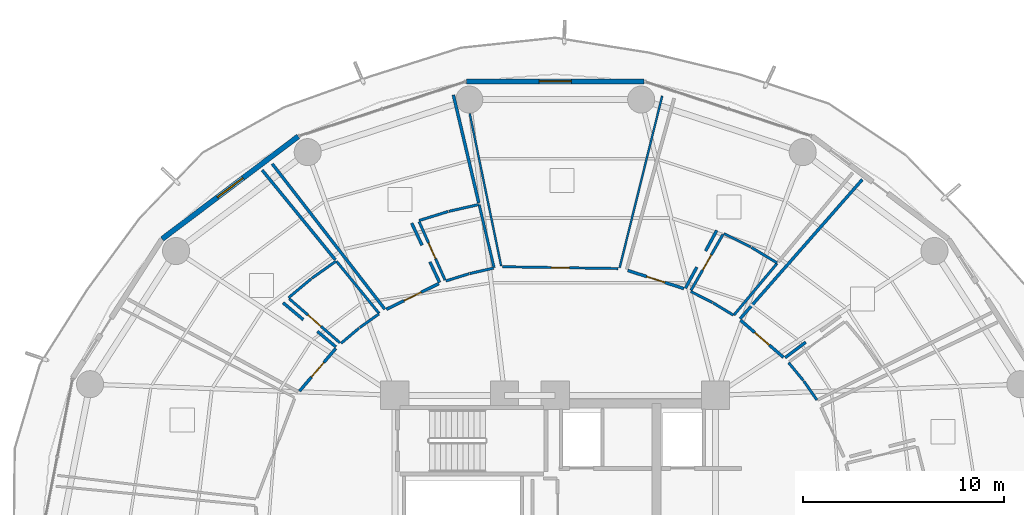
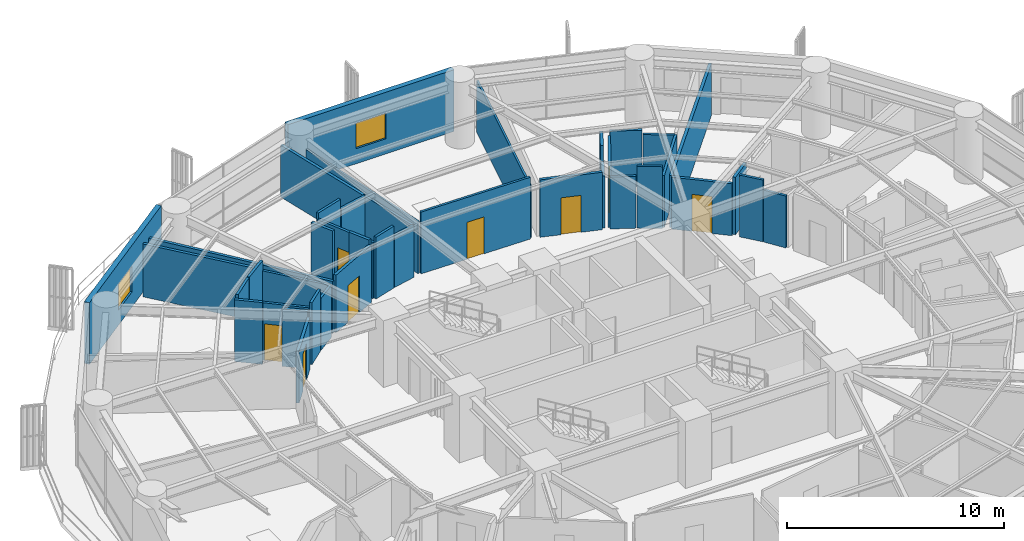
# One storey, part 30 of 36: 40 walls, 8 doors, 2 windows, 10 openings.
"""IFC4 building model written with IfcOpenShell, lengths in metres."""

import ifcopenshell
import ifcopenshell.guid

model = None  # the IFC model being written
_history = None  # IfcOwnerHistory: only IFC2X3 demands one
_inside = {}  # id of a spatial element -> (the spatial element, [elements in it])
_under = {}  # id of a project, library or spatial element -> (it, [spatial elements below it])
_declared = {}  # id of a project -> (the project, [libraries it declares])
_typed = {}  # id of a type object -> (the type object, [elements of that type])
_made_of = {}  # id of a material, layer set ... -> (it, [elements and type objects made of it])


def new_model(schema):
    """Start an empty IFC model of exactly this schema.

    Asked for "IFC4X3", IfcOpenShell would pick the latest addendum, in which some entities
    have other attributes; the version numbers below select the first issue.
    IFC2X3 requires an IfcOwnerHistory on every rooted entity: one is made here for all.
    """
    global model, _history
    if schema == "IFC4X3":
        model = ifcopenshell.file(schema_version=(4, 3, 0, 0))
    else:
        model = ifcopenshell.file(schema=schema)
    _inside.clear()
    _under.clear()
    _declared.clear()
    _typed.clear()
    _made_of.clear()
    _history = None
    if model.schema == "IFC2X3":
        org = make("IfcOrganization", Name="unknown")
        user = make(
            "IfcPersonAndOrganization",
            ThePerson=make("IfcPerson", FamilyName="unknown"),
            TheOrganization=org,
        )
        app = make(
            "IfcApplication",
            ApplicationDeveloper=org,
            Version="unknown",
            ApplicationFullName="unknown",
            ApplicationIdentifier="unknown",
        )
        _history = make(
            "IfcOwnerHistory",
            OwningUser=user,
            OwningApplication=app,
            ChangeAction="ADDED",
            CreationDate=0,
        )
    return model


def make(cls, **values):
    """One entity of the class cls with the attributes given. An attribute that is None is left unset."""
    return model.create_entity(
        cls, **{name: value for name, value in values.items() if value is not None}
    )


def rooted(cls, **values):
    """An entity with a GlobalId (a new one), such as an element, a storey or a relation."""
    return make(cls, GlobalId=ifcopenshell.guid.new(), OwnerHistory=_history, **values)


def si_unit(unit_type, name, prefix=None):
    """IfcSIUnit, for example si_unit("LENGTHUNIT", "METRE", prefix="MILLI")."""
    return make("IfcSIUnit", UnitType=unit_type, Prefix=prefix, Name=name)


def assignment(units):
    """IfcUnitAssignment: the units of a project."""
    return None if units is None else make("IfcUnitAssignment", Units=units)


def point(xyz):
    """IfcCartesianPoint."""
    return None if xyz is None else make("IfcCartesianPoint", Coordinates=xyz)


def direction(xyz):
    """IfcDirection."""
    return None if xyz is None else make("IfcDirection", DirectionRatios=xyz)


def frame(location, z_axis=None, x_axis=None):
    """IfcAxis2Placement3D, a coordinate frame: its origin and axes. An axis left out is left unset."""
    return make(
        "IfcAxis2Placement3D",
        Location=point(location),
        Axis=direction(z_axis),
        RefDirection=direction(x_axis),
    )


def frame_2d(location, x_axis=None):
    """IfcAxis2Placement2D, a coordinate frame in the plane: its origin and x axis."""
    return make(
        "IfcAxis2Placement2D", Location=point(location), RefDirection=direction(x_axis)
    )


def origin():
    """The frame at (0, 0, 0) with its axes left unset."""
    return frame((0.0, 0.0, 0.0))


def place(relative_to, where):
    """IfcLocalPlacement: puts the frame where relative to a parent placement (None: the world)."""
    return make(
        "IfcLocalPlacement", PlacementRelTo=relative_to, RelativePlacement=where
    )


def context(
    kind, dimensions, precision=None, world=None, true_north=None, identifier=None
):
    """IfcGeometricRepresentationContext, for example the 3D "Model" context."""
    return make(
        "IfcGeometricRepresentationContext",
        ContextIdentifier=identifier,
        ContextType=kind,
        CoordinateSpaceDimension=dimensions,
        Precision=precision,
        WorldCoordinateSystem=world,
        TrueNorth=true_north,
    )


def subcontext(parent, identifier, kind, view, scale=None):
    """IfcGeometricRepresentationSubContext, for example "Body" below "Model"."""
    return make(
        "IfcGeometricRepresentationSubContext",
        ContextIdentifier=identifier,
        ContextType=kind,
        ParentContext=parent,
        TargetScale=scale,
        TargetView=view,
    )


def project(units=None, contexts=None):
    """IfcProject with its units and contexts."""
    return rooted(
        "IfcProject",
        Name="project",
        RepresentationContexts=contexts,
        UnitsInContext=assignment(units),
    )


def spatial(cls, under=None, at=None, **own):
    """A site, building, storey or space (cls), placed at a placement, below another one or the project."""
    s = rooted(cls, ObjectPlacement=at, **own)
    if under is not None:
        _under.setdefault(under.id(), (under, []))[1].append(s)
    return s


def profile(cls, at=None, kind="AREA", **sizes):
    """A parametric profile (cls). Its sizes go by their IFC names, for example OverallWidth=200.0."""
    return make(cls, ProfileType=kind, Position=at, **sizes)


def rectangle(**sizes):
    """IfcRectangleProfileDef."""
    return profile("IfcRectangleProfileDef", **sizes)


def extrude(swept, where, along, depth):
    """IfcExtrudedAreaSolid: the profile swept, set in the frame where, extruded along a direction by depth."""
    return make(
        "IfcExtrudedAreaSolid",
        SweptArea=swept,
        Position=where,
        ExtrudedDirection=direction(along),
        Depth=depth,
    )


def shape(context_of_items, identifier, shape_type, items):
    """IfcShapeRepresentation: the items that make up one representation, for example the "Body"."""
    return make(
        "IfcShapeRepresentation",
        ContextOfItems=context_of_items,
        RepresentationIdentifier=identifier,
        RepresentationType=shape_type,
        Items=items,
    )


def material(Name=None, Category=None):
    """IfcMaterial."""
    return make("IfcMaterial", Name=Name, Category=Category)


def layer(
    of_material, thickness, ventilated=None, Name=None, Category=None, Priority=None
):
    """IfcMaterialLayer: one layer of a wall or slab, of a material (None: an air gap)."""
    return make(
        "IfcMaterialLayer",
        Material=of_material,
        LayerThickness=thickness,
        IsVentilated=ventilated,
        Name=Name,
        Category=Category,
        Priority=Priority,
    )


def layer_set(layers, Name=None):
    """IfcMaterialLayerSet."""
    return make("IfcMaterialLayerSet", MaterialLayers=layers, LayerSetName=Name)


def made_of(thing, what):
    """Note that an element or type object is made of a material, layer set ...; save() writes the relation."""
    if what is not None:
        _made_of.setdefault(what.id(), (what, []))[1].append(thing)
    return thing


def type_object(cls, material=None, **own):
    """A type object (cls), such as IfcWallType, which elements share."""
    return made_of(rooted(cls, **own), material)


def element(
    cls,
    number,
    at=None,
    inside=None,
    cuts=None,
    type_object=None,
    material=None,
    context=None,
    identifier="Body",
    shape_type=None,
    held_by="IfcProductDefinitionShape",
    body=None,
    shapes=None,
    **own,
):
    """One element of the class cls, such as IfcWall. Its Tag is "e" and its number.

    at: its placement. inside: the storey or other place that contains it. cuts: it is an
    opening in that element (IfcRelVoidsElement). A single representation is given by context,
    identifier, shape_type and body (its items); several are given by shapes. held_by: the class
    of the entity that holds the representations. save() writes the other relations.
    """
    e = rooted(cls, Tag="e%d" % number, ObjectPlacement=at, **own)
    if body is not None:
        shapes = [shape(context, identifier, shape_type, body)]
    if shapes is not None:
        e.Representation = make(held_by, Representations=shapes)
    if inside is not None:
        _inside.setdefault(inside.id(), (inside, []))[1].append(e)
    if cuts is not None:
        rooted(
            "IfcRelVoidsElement", RelatingBuildingElement=cuts, RelatedOpeningElement=e
        )
    if type_object is not None:
        _typed.setdefault(type_object.id(), (type_object, []))[1].append(e)
    return made_of(e, material)


def fill(opening, filler):
    """IfcRelFillsElement: the door or window that sits in an opening."""
    return rooted(
        "IfcRelFillsElement",
        RelatingOpeningElement=opening,
        RelatedBuildingElement=filler,
    )


def aggregate(whole, parts):
    """IfcRelAggregates: a whole, such as a stair, and the parts it consists of."""
    return rooted("IfcRelAggregates", RelatingObject=whole, RelatedObjects=parts)


def save(model, path):
    """Write the relations noted so far, then the file.

    IfcRelAggregates (storeys below a building ...), IfcRelContainedInSpatialStructure (elements
    in a storey), IfcRelDefinesByType, IfcRelAssociatesMaterial and IfcRelDeclares: one each for
    every whole, place, type object, material and project.
    """
    for whole, parts in _under.values():
        aggregate(whole, parts)
    for where, things in _inside.values():
        rooted(
            "IfcRelContainedInSpatialStructure",
            RelatedElements=things,
            RelatingStructure=where,
        )
    for kind, things in _typed.values():
        rooted("IfcRelDefinesByType", RelatedObjects=things, RelatingType=kind)
    for what, things in _made_of.values():
        rooted("IfcRelAssociatesMaterial", RelatedObjects=things, RelatingMaterial=what)
    for by, libraries in _declared.values():
        rooted("IfcRelDeclares", RelatingContext=by, RelatedDefinitions=libraries)
    model.write(path)


model = new_model("IFC4")

# Units and contexts
model_context = context("Model", 3, precision=1e-05, world=origin(), true_north=direction((0.0, 1.0)))
body_context = subcontext(model_context, "Body", "Model", "MODEL_VIEW")
ifc_project = project(units=[si_unit("LENGTHUNIT", "METRE"), si_unit("AREAUNIT", "SQUARE_METRE"), si_unit("VOLUMEUNIT", "CUBIC_METRE"), si_unit("PLANEANGLEUNIT", "RADIAN"), si_unit("MASSUNIT", "GRAM", prefix="KILO")], contexts=[model_context])

# Site, building, storey
site_placement = place(None, origin())
site = spatial("IfcSite", under=ifc_project, at=site_placement, CompositionType="ELEMENT")
building_placement = place(site_placement, origin())
building = spatial("IfcBuilding", under=site, at=building_placement, Name="Kelanora Arch Commons", CompositionType="ELEMENT")
storey_placement = place(building_placement, frame((0.0, 0.0, 98.85009765625)))
storey = spatial("IfcBuildingStorey", under=building, at=storey_placement, Name="L25", CompositionType="ELEMENT", Elevation=98.85009765625)

# Wall, opening, door
ifc_material_1 = material(Name="Autoclaved aerated concrete blockwork with fire plaster", Category="masonry")
ifc_layer_1 = layer(ifc_material_1, 0.14990234375)
ifc_layer_set_1 = layer_set([ifc_layer_1], Name="Autoclaved aerated concrete blockwork with fire plaster")
wall_type_1 = type_object("IfcWallType", Name="W-COMP-150", PredefinedType="PARTITIONING", material=ifc_layer_set_1)
wall_1_placement = place(storey_placement, frame((85.384521484375, 66.89013671875, 0.0), z_axis=(0.0, 0.0, 1.0), x_axis=(-0.756913909666, 0.65351460072, 0.0)))
wall_1 = element("IfcWall", 1, at=wall_1_placement, inside=storey, type_object=wall_type_1, Name="Co-Living Studio L25-02 Entry Partition", PredefinedType="PARTITIONING", context=body_context, shape_type="SweptSolid", body=[
    extrude(rectangle(XDim=2.838134765625, YDim=0.14990234375, at=frame_2d((1.4189453125, 0.0))), origin(), (0.0, 0.0, 1.0), 2.9248046875),
])
opening_1_placement = place(wall_1_placement, frame((0.944091796875, 0.0, 0.0)))
opening_1 = element("IfcOpeningElement", 2, at=opening_1_placement, cuts=wall_1, Name="Opening D-CLU1", PredefinedType="OPENING", context=body_context, shape_type="SweptSolid", body=[
    extrude(rectangle(XDim=0.949951171875, YDim=2.080078125, at=frame_2d((0.47509765625, 1.0400390625))), frame((0.0, 0.0849609375, 0.0), z_axis=(0.0, -1.0, 0.0), x_axis=(1.0, 0.0, 0.0)), (0.0, 0.0, 1.0), 0.169921875),
])
ifc_material_2 = material(Name="Solid-core acoustic timber cluster entry fire door", Category="wood")
door_type_1 = type_object("IfcDoorType", Name="D-CLU-95", OperationType="NOTDEFINED", PredefinedType="DOOR", material=ifc_material_2)
door_1_placement = place(opening_1_placement, origin())
door_1 = element("IfcDoor", 3, at=door_1_placement, inside=storey, type_object=door_type_1, Name="Co-Living Studio L25-02 Door", OperationType="SINGLE_SWING_RIGHT", OverallHeight=2.080078125, OverallWidth=0.949951171875, PredefinedType="DOOR", context=body_context, shape_type="SweptSolid", body=[
    extrude(rectangle(XDim=0.949951171875, YDim=2.080078125, at=frame_2d((0.47509765625, 1.0400390625))), frame((0.0, 0.02490234375, 0.0), z_axis=(0.0, -1.0, 0.0), x_axis=(1.0, 0.0, 0.0)), (0.0, 0.0, 1.0), 0.050048828125),
])
fill(opening_1, door_1)

wall_2_placement = place(storey_placement, frame((80.414794921875, 70.3203125, 0.0), z_axis=(0.0, 0.0, 1.0), x_axis=(-0.951622481895, 0.307269673009, 0.0)))
wall_2 = element("IfcWall", 4, at=wall_2_placement, inside=storey, type_object=wall_type_1, Name="Co-Living Studio L25-03 Entry Partition", PredefinedType="PARTITIONING", context=body_context, shape_type="SweptSolid", body=[
    extrude(rectangle(XDim=2.93994140625, YDim=0.14990234375, at=frame_2d((1.469970703125, 0.0))), origin(), (0.0, 0.0, 1.0), 3.23486328125),
])
opening_2_placement = place(wall_2_placement, frame((0.9951171875, 0.0, 0.0)))
opening_2 = element("IfcOpeningElement", 5, at=opening_2_placement, cuts=wall_2, Name="Opening D-CLU1", PredefinedType="OPENING", context=body_context, shape_type="SweptSolid", body=[
    extrude(rectangle(XDim=0.949951171875, YDim=2.080078125, at=frame_2d((0.47509765625, 1.0400390625))), frame((0.0, 0.0849609375, 0.0), z_axis=(0.0, -1.0, 0.0), x_axis=(1.0, 0.0, 0.0)), (0.0, 0.0, 1.0), 0.169921875),
])
door_2_placement = place(opening_2_placement, origin())
door_2 = element("IfcDoor", 6, at=door_2_placement, inside=storey, type_object=door_type_1, Name="Co-Living Studio L25-03 Door", OperationType="SINGLE_SWING_RIGHT", OverallHeight=2.080078125, OverallWidth=0.949951171875, PredefinedType="DOOR", context=body_context, shape_type="SweptSolid", body=[
    extrude(rectangle(XDim=0.949951171875, YDim=2.080078125, at=frame_2d((0.47509765625, 1.0400390625))), frame((0.0, 0.02490234375, 0.0), z_axis=(0.0, -1.0, 0.0), x_axis=(1.0, 0.0, 0.0)), (0.0, 0.0, 1.0), 0.050048828125),
])
fill(opening_2, door_2)

wall_3_placement = place(storey_placement, frame((68.196044921875, 70.566650390625, 0.0), z_axis=(0.0, 0.0, 1.0), x_axis=(-0.89794088417, -0.440116085296, 0.0)))
wall_3 = element("IfcWall", 7, at=wall_3_placement, inside=storey, type_object=wall_type_1, Name="Co-Living Studio L25-05 Entry Partition", PredefinedType="PARTITIONING", context=body_context, shape_type="SweptSolid", body=[
    extrude(rectangle(XDim=2.908935546875, YDim=0.14990234375, at=frame_2d((1.45458984375, 0.0))), origin(), (0.0, 0.0, 1.0), 3.23486328125),
])
opening_3_placement = place(wall_3_placement, frame((0.97998046875, 0.0, 0.0)))
opening_3 = element("IfcOpeningElement", 8, at=opening_3_placement, cuts=wall_3, Name="Opening D-CLU1", PredefinedType="OPENING", context=body_context, shape_type="SweptSolid", body=[
    extrude(rectangle(XDim=0.949951171875, YDim=2.080078125, at=frame_2d((0.47509765625, 1.0400390625))), frame((0.0, 0.0849609375, 0.0), z_axis=(0.0, -1.0, 0.0), x_axis=(1.0, 0.0, 0.0)), (0.0, 0.0, 1.0), 0.169921875),
])
door_3_placement = place(opening_3_placement, origin())
door_3 = element("IfcDoor", 9, at=door_3_placement, inside=storey, type_object=door_type_1, Name="Co-Living Studio L25-05 Door", OperationType="SINGLE_SWING_LEFT", OverallHeight=2.080078125, OverallWidth=0.949951171875, PredefinedType="DOOR", context=body_context, shape_type="SweptSolid", body=[
    extrude(rectangle(XDim=0.949951171875, YDim=2.080078125, at=frame_2d((0.47509765625, 1.0400390625))), frame((0.0, 0.02490234375, 0.0), z_axis=(0.0, -1.0, 0.0), x_axis=(1.0, 0.0, 0.0)), (0.0, 0.0, 1.0), 0.050048828125),
])
fill(opening_3, door_3)

wall_4_placement = place(storey_placement, frame((63.060302734375, 67.33740234375, 0.0), z_axis=(0.0, 0.0, 1.0), x_axis=(-0.647519081114, -0.762049236988, 0.0)))
wall_4 = element("IfcWall", 10, at=wall_4_placement, inside=storey, type_object=wall_type_1, Name="Co-Living Studio L25-06 Entry Partition", PredefinedType="PARTITIONING", context=body_context, shape_type="SweptSolid", body=[
    extrude(rectangle(XDim=2.794677734375, YDim=0.14990234375, at=frame_2d((1.3974609375, 0.0))), origin(), (0.0, 0.0, 1.0), 2.9248046875),
])
opening_4_placement = place(wall_4_placement, frame((0.922119140625, 0.0, 0.0)))
opening_4 = element("IfcOpeningElement", 11, at=opening_4_placement, cuts=wall_4, Name="Opening D-CLU1", PredefinedType="OPENING", context=body_context, shape_type="SweptSolid", body=[
    extrude(rectangle(XDim=0.949951171875, YDim=2.080078125, at=frame_2d((0.47509765625, 1.0400390625))), frame((0.0, 0.0849609375, 0.0), z_axis=(0.0, -1.0, 0.0), x_axis=(1.0, 0.0, 0.0)), (0.0, 0.0, 1.0), 0.169921875),
])
door_4_placement = place(opening_4_placement, origin())
door_4 = element("IfcDoor", 12, at=door_4_placement, inside=storey, type_object=door_type_1, Name="Co-Living Studio L25-06 Door", OperationType="SINGLE_SWING_LEFT", OverallHeight=2.080078125, OverallWidth=0.949951171875, PredefinedType="DOOR", context=body_context, shape_type="SweptSolid", body=[
    extrude(rectangle(XDim=0.949951171875, YDim=2.080078125, at=frame_2d((0.47509765625, 1.0400390625))), frame((0.0, 0.02490234375, 0.0), z_axis=(0.0, -1.0, 0.0), x_axis=(1.0, 0.0, 0.0)), (0.0, 0.0, 1.0), 0.050048828125),
])
fill(opening_4, door_4)

# Walls
wall_5_placement = place(storey_placement, frame((83.21728515625, 68.814208984375, 0.0), z_axis=(0.0, 0.0, 1.0), x_axis=(0.659635901966, 0.751585309088, 0.0)))
element("IfcWall", 13, at=wall_5_placement, inside=storey, type_object=wall_type_1, Name="Co-Living Studio L25-02 Enclosure Partition 2", PredefinedType="PARTITIONING", context=body_context, shape_type="SweptSolid", body=[
    extrude(rectangle(XDim=9.2373046875, YDim=0.14990234375, at=frame_2d((4.61865234375, 0.0))), origin(), (0.0, 0.0, 1.0), 2.9248046875),
])
wall_6_placement = place(storey_placement, frame((86.4912109375, 67.649169921875, 0.0), z_axis=(0.0, 0.0, 1.0), x_axis=(-0.799180360415, -0.601091300492, 0.0)))
element("IfcWall", 14, at=wall_6_placement, inside=storey, type_object=wall_type_1, Name="Co-Living Studio L25-02 Enclosure Partition 7", PredefinedType="PARTITIONING", context=body_context, shape_type="SweptSolid", body=[
    extrude(rectangle(XDim=1.287841796875, YDim=0.14990234375, at=frame_2d((0.64404296875, 0.0))), origin(), (0.0, 0.0, 1.0), 3.23486328125),
])
wall_7_placement = place(storey_placement, frame((82.053955078125, 73.2216796875, 0.0), z_axis=(0.0, 0.0, 1.0), x_axis=(-0.476431432847, -0.879211629698, 0.0)))
element("IfcWall", 15, at=wall_7_placement, inside=storey, type_object=wall_type_1, Name="Co-Living Studio L25-03 Enclosure Partition 7", PredefinedType="PARTITIONING", context=body_context, shape_type="SweptSolid", body=[
    extrude(rectangle(XDim=1.166748046875, YDim=0.14990234375, at=frame_2d((0.58349609375, 0.0))), origin(), (0.0, 0.0, 1.0), 3.1748046875),
])
wall_8_placement = place(storey_placement, frame((81.0595703125, 71.38671875, 0.0), z_axis=(0.0, 0.0, 1.0), x_axis=(-0.476184304259, -0.879345500004, 0.0)))
element("IfcWall", 16, at=wall_8_placement, inside=storey, type_object=wall_type_1, Name="Co-Living Studio L25-03 Enclosure Partition 7", PredefinedType="PARTITIONING", context=body_context, shape_type="SweptSolid", body=[
    extrude(rectangle(XDim=1.193603515625, YDim=0.14990234375, at=frame_2d((0.5966796875, 0.0))), origin(), (0.0, 0.0, 1.0), 2.9248046875),
])
wall_9_placement = place(storey_placement, frame((65.505615234375, 69.29150390625, 0.0), z_axis=(0.0, 0.0, 1.0), x_axis=(-0.612364923916, 0.790575233585, 0.0)))
element("IfcWall", 17, at=wall_9_placement, inside=storey, type_object=wall_type_1, Name="Co-Living Studio L25-05 Enclosure Partition 2", PredefinedType="PARTITIONING", context=body_context, shape_type="SweptSolid", body=[
    extrude(rectangle(XDim=9.167724609375, YDim=0.14990234375, at=frame_2d((4.583984375, 0.0))), origin(), (0.0, 0.0, 1.0), 2.9248046875),
])
wall_10_placement = place(storey_placement, frame((68.923095703125, 79.97412109375, 0.0), z_axis=(0.0, 0.0, 1.0), x_axis=(0.228901508724, -0.973449587449, 0.0)))
element("IfcWall", 18, at=wall_10_placement, inside=storey, type_object=wall_type_1, Name="Co-Living Studio L25-05 Enclosure Partition 5", PredefinedType="PARTITIONING", context=body_context, shape_type="SweptSolid", body=[
    extrude(rectangle(XDim=5.529052734375, YDim=0.14990234375, at=frame_2d((2.7646484375, 0.0))), origin(), (0.0, 0.0, 1.0), 2.9248046875),
])
wall_11_placement = place(storey_placement, frame((66.843994140625, 73.581787109375, 0.0), z_axis=(0.0, 0.0, 1.0), x_axis=(0.42562282943, -0.904900661436, 0.0)))
element("IfcWall", 19, at=wall_11_placement, inside=storey, type_object=wall_type_1, Name="Co-Living Studio L25-05 Enclosure Partition 7", PredefinedType="PARTITIONING", context=body_context, shape_type="SweptSolid", body=[
    extrude(rectangle(XDim=1.21484375, YDim=0.14990234375, at=frame_2d((0.607421875, 0.0))), origin(), (0.0, 0.0, 1.0), 3.1748046875),
])
wall_12_placement = place(storey_placement, frame((67.7529296875, 71.649658203125, 0.0), z_axis=(0.0, 0.0, 1.0), x_axis=(0.425609366017, -0.904906993872, 0.0)))
element("IfcWall", 20, at=wall_12_placement, inside=storey, type_object=wall_type_1, Name="Co-Living Studio L25-05 Enclosure Partition 7", PredefinedType="PARTITIONING", context=body_context, shape_type="SweptSolid", body=[
    extrude(rectangle(XDim=1.127685546875, YDim=0.14990234375, at=frame_2d((0.56396484375, 0.0))), origin(), (0.0, 0.0, 1.0), 3.47998046875),
])
wall_13_placement = place(storey_placement, frame((59.390380859375, 76.22509765625, 0.0), z_axis=(0.0, 0.0, 1.0), x_axis=(0.632139440809, -0.774854649192, 0.0)))
element("IfcWall", 21, at=wall_13_placement, inside=storey, type_object=wall_type_1, Name="Co-Living Studio L25-06 Enclosure Partition 5", PredefinedType="PARTITIONING", context=body_context, shape_type="SweptSolid", body=[
    extrude(rectangle(XDim=5.764892578125, YDim=0.14990234375, at=frame_2d((2.88232421875, 0.0))), origin(), (0.0, 0.0, 1.0), 2.974853515625),
])
wall_14_placement = place(storey_placement, frame((60.4326171875, 69.611328125, 0.0), z_axis=(0.0, 0.0, 1.0), x_axis=(0.767335111176, -0.641246307714, 0.0)))
element("IfcWall", 22, at=wall_14_placement, inside=storey, type_object=wall_type_1, Name="Co-Living Studio L25-06 Enclosure Partition 7", PredefinedType="PARTITIONING", context=body_context, shape_type="SweptSolid", body=[
    extrude(rectangle(XDim=1.310791015625, YDim=0.14990234375, at=frame_2d((0.6552734375, 0.0))), origin(), (0.0, 0.0, 1.0), 3.47998046875),
])
wall_15_placement = place(storey_placement, frame((62.14453125, 68.1806640625, 0.0), z_axis=(0.0, 0.0, 1.0), x_axis=(0.767356229846, -0.641221035616, 0.0)))
element("IfcWall", 23, at=wall_15_placement, inside=storey, type_object=wall_type_1, Name="Co-Living Studio L25-06 Enclosure Partition 7", PredefinedType="PARTITIONING", context=body_context, shape_type="SweptSolid", body=[
    extrude(rectangle(XDim=1.203857421875, YDim=0.14990234375, at=frame_2d((0.60205078125, 0.0))), origin(), (0.0, 0.0, 1.0), 3.23486328125),
])

# Wall, opening, window
ifc_material_3 = material(Name="Precast concrete C40/50 with terracotta rainscreen", Category="masonry")
ifc_layer_2 = layer(ifc_material_3, 0.260009765625)
ifc_layer_set_2 = layer_set([ifc_layer_2], Name="Precast concrete C40/50 with terracotta rainscreen")
wall_type_2 = type_object("IfcWallType", Name="W-EXT-TC", PredefinedType="SOLIDWALL", material=ifc_layer_set_2)
wall_16_placement = place(storey_placement, frame((78.430419921875, 80.650634765625, 0.0), z_axis=(0.0, 0.0, 1.0), x_axis=(-1.0, 0.0, 0.0)))
wall_16 = element("IfcWall", 24, at=wall_16_placement, inside=storey, type_object=wall_type_2, Name="Terracotta Exterior Wall L25-B04", PredefinedType="SOLIDWALL", context=body_context, shape_type="SweptSolid", body=[
    extrude(rectangle(XDim=8.86083984375, YDim=0.260009765625, at=frame_2d((4.430419921875, 0.0))), origin(), (0.0, 0.0, 1.0), 3.474853515625),
])
opening_5_placement = place(wall_16_placement, frame((3.6298828125, 0.0, 0.85009765625)))
opening_5 = element("IfcOpeningElement", 25, at=opening_5_placement, cuts=wall_16, Name="Opening WN-01", PredefinedType="OPENING", context=body_context, shape_type="SweptSolid", body=[
    extrude(rectangle(XDim=1.60009765625, YDim=1.449951171875, at=frame_2d((0.800048828125, 0.72509765625))), frame((0.0, 0.14013671875, 0.0), z_axis=(0.0, -1.0, 0.0), x_axis=(1.0, 0.0, 0.0)), (0.0, 0.0, 1.0), 0.280029296875),
])
ifc_material_4 = material(Name="Terracotta-anodised aluminium frame with operable low-E glazing", Category="masonry")
window_type = type_object("IfcWindowType", Name="WIN-CL-18", PartitioningType="DOUBLE_PANEL_VERTICAL", PredefinedType="WINDOW", material=ifc_material_4)
window_1_placement = place(opening_5_placement, origin())
window_1 = element("IfcWindow", 26, at=window_1_placement, inside=storey, type_object=window_type, Name="Co-Living Operable Window L25-B04", OverallHeight=1.449951171875, OverallWidth=1.60009765625, PartitioningType="SINGLE_PANEL", PredefinedType="WINDOW", context=body_context, shape_type="SweptSolid", body=[
    extrude(rectangle(XDim=1.60009765625, YDim=1.449951171875, at=frame_2d((0.800048828125, 0.72509765625))), frame((0.0, 0.030029296875, 0.0), z_axis=(0.0, -1.0, 0.0), x_axis=(1.0, 0.0, 0.0)), (0.0, 0.0, 1.0), 0.06005859375),
])
fill(opening_5, window_1)

wall_17_placement = place(storey_placement, frame((61.18798828125, 77.90966796875, 0.0), z_axis=(0.0, 0.0, 1.0), x_axis=(-0.798501507879, -0.601992808857, 0.0)))
wall_17 = element("IfcWall", 27, at=wall_17_placement, inside=storey, type_object=wall_type_2, Name="Terracotta Exterior Wall L25-B06", PredefinedType="SOLIDWALL", context=body_context, shape_type="SweptSolid", body=[
    extrude(rectangle(XDim=8.499267578125, YDim=0.260009765625, at=frame_2d((4.24951171875, 0.0))), origin(), (0.0, 0.0, 1.0), 3.474853515625),
])
opening_6_placement = place(wall_17_placement, frame((3.449951171875, 0.0, 0.85009765625)))
opening_6 = element("IfcOpeningElement", 28, at=opening_6_placement, cuts=wall_17, Name="Opening WN-01", PredefinedType="OPENING", context=body_context, shape_type="SweptSolid", body=[
    extrude(rectangle(XDim=1.60009765625, YDim=1.449951171875, at=frame_2d((0.800048828125, 0.72509765625))), frame((0.0, 0.14013671875, 0.0), z_axis=(0.0, -1.0, 0.0), x_axis=(1.0, 0.0, 0.0)), (0.0, 0.0, 1.0), 0.280029296875),
])
window_2_placement = place(opening_6_placement, origin())
window_2 = element("IfcWindow", 29, at=window_2_placement, inside=storey, type_object=window_type, Name="Co-Living Operable Window L25-B06", OverallHeight=1.449951171875, OverallWidth=1.60009765625, PartitioningType="SINGLE_PANEL", PredefinedType="WINDOW", context=body_context, shape_type="SweptSolid", body=[
    extrude(rectangle(XDim=1.60009765625, YDim=1.449951171875, at=frame_2d((0.800048828125, 0.72509765625))), frame((0.0, 0.030029296875, 0.0), z_axis=(0.0, -1.0, 0.0), x_axis=(1.0, 0.0, 0.0)), (0.0, 0.0, 1.0), 0.06005859375),
])
fill(opening_6, window_2)

# Walls
ifc_material_5 = material(Name="Lightweight fire-rated acoustic stud partition")
ifc_layer_3 = layer(ifc_material_5, 0.10009765625)
ifc_layer_set_3 = layer_set([ifc_layer_3], Name="Lightweight fire-rated acoustic stud partition")
wall_type_3 = type_object("IfcWallType", Name="W-PART-100", PredefinedType="PARTITIONING", material=ifc_layer_set_3)
wall_18_placement = place(storey_placement, frame((71.304931640625, 71.44921875, 0.0), z_axis=(0.0, 0.0, 1.0), x_axis=(-0.202123638545, 0.979360012836, 0.0)))
element("IfcWall", 30, at=wall_18_placement, inside=storey, type_object=wall_type_3, Name="Communal Dining and Social Hall L25-04 Enclosure Partition 2", PredefinedType="PARTITIONING", context=body_context, shape_type="SweptSolid", body=[
    extrude(rectangle(XDim=7.755859375, YDim=0.10009765625, at=frame_2d((3.8779296875, 0.0))), origin(), (0.0, 0.0, 1.0), 2.9248046875),
])
wall_19_placement = place(storey_placement, frame((79.33349609375, 79.92529296875, 0.0), z_axis=(0.0, 0.0, 1.0), x_axis=(-0.240342194274, -0.970688224741, 0.0)))
element("IfcWall", 31, at=wall_19_placement, inside=storey, type_object=wall_type_3, Name="Communal Dining and Social Hall L25-04 Enclosure Partition 4", PredefinedType="PARTITIONING", context=body_context, shape_type="SweptSolid", body=[
    extrude(rectangle(XDim=8.828369140625, YDim=0.10009765625, at=frame_2d((4.4140625, 0.0))), origin(), (0.0, 0.0, 1.0), 2.9248046875),
])

# Wall, opening, door
ifc_material_6 = material(Name="Acoustic twin-stud fire-rated gypsum partition")
ifc_layer_4 = layer(ifc_material_6, 0.1201171875)
ifc_layer_set_4 = layer_set([ifc_layer_4], Name="Acoustic twin-stud fire-rated gypsum partition")
wall_type_4 = type_object("IfcWallType", Name="W-PART-120", PredefinedType="PARTITIONING", material=ifc_layer_set_4)
wall_20_placement = place(storey_placement, frame((77.14208984375, 71.31787109375, 0.0), z_axis=(0.0, 0.0, 1.0), x_axis=(-0.999874771211, 0.015825356091, 0.0)))
wall_20 = element("IfcWall", 32, at=wall_20_placement, inside=storey, type_object=wall_type_4, Name="Communal Dining and Social Hall L25-04 Entry Partition", PredefinedType="PARTITIONING", context=body_context, shape_type="SweptSolid", body=[
    extrude(rectangle(XDim=5.769775390625, YDim=0.1201171875, at=frame_2d((2.884765625, 0.0))), origin(), (0.0, 0.0, 1.0), 3.47998046875),
])
opening_7_placement = place(wall_20_placement, frame((2.43505859375, 0.0, 0.0)))
opening_7 = element("IfcOpeningElement", 33, at=opening_7_placement, cuts=wall_20, Name="Opening D-RM1", PredefinedType="OPENING", context=body_context, shape_type="SweptSolid", body=[
    extrude(rectangle(XDim=0.89990234375, YDim=2.080078125, at=frame_2d((0.449951171875, 1.0400390625))), frame((0.0, 0.070068359375, 0.0), z_axis=(0.0, -1.0, 0.0), x_axis=(1.0, 0.0, 0.0)), (0.0, 0.0, 1.0), 0.14013671875),
])
ifc_material_7 = material(Name="Acoustic fire-rated timber study and lounge door", Category="wood")
door_type_2 = type_object("IfcDoorType", Name="D-ROOM-90", OperationType="NOTDEFINED", PredefinedType="DOOR", material=ifc_material_7)
door_5_placement = place(opening_7_placement, origin())
door_5 = element("IfcDoor", 34, at=door_5_placement, inside=storey, type_object=door_type_2, Name="Communal Dining and Social Hall L25-04 Door", OperationType="SINGLE_SWING_LEFT", OverallHeight=2.080078125, OverallWidth=0.89990234375, PredefinedType="DOOR", context=body_context, shape_type="SweptSolid", body=[
    extrude(rectangle(XDim=0.89990234375, YDim=2.080078125, at=frame_2d((0.449951171875, 1.0400390625))), frame((0.0, 0.02490234375, 0.0), z_axis=(0.0, -1.0, 0.0), x_axis=(1.0, 0.0, 0.0)), (0.0, 0.0, 1.0), 0.050048828125),
])
fill(opening_7, door_5)

ifc_material_8 = material(Name="Moisture-resistant fire-rated cement-board plumbing wall")
ifc_layer_5 = layer(ifc_material_8, 0.1298828125)
ifc_layer_set_5 = layer_set([ifc_layer_5], Name="Moisture-resistant fire-rated cement-board plumbing wall")
wall_type_5 = type_object("IfcWallType", Name="W-WET-120", PredefinedType="PLUMBINGWALL", material=ifc_layer_set_5)
wall_21_placement = place(storey_placement, frame((80.772705078125, 70.233154296875, 0.0), z_axis=(0.0, 0.0, 1.0), x_axis=(0.49568821927, 0.868500540747, 0.0)))
wall_21 = element("IfcWall", 35, at=wall_21_placement, inside=storey, type_object=wall_type_5, Name="En-Suite Shower WC L25-03 Entry Partition", PredefinedType="PLUMBINGWALL", context=body_context, shape_type="SweptSolid", body=[
    extrude(rectangle(XDim=3.208740234375, YDim=0.1298828125, at=frame_2d((1.6044921875, 0.0))), origin(), (0.0, 0.0, 1.0), 2.9248046875),
])
opening_8_placement = place(wall_21_placement, frame((1.174072265625, 0.0, 0.0)))
opening_8 = element("IfcOpeningElement", 36, at=opening_8_placement, cuts=wall_21, Name="Opening D-BT1", PredefinedType="OPENING", context=body_context, shape_type="SweptSolid", body=[
    extrude(rectangle(XDim=0.860107421875, YDim=2.050048828125, at=frame_2d((0.43017578125, 1.02490234375))), frame((0.0, 0.074951171875, 0.0), z_axis=(0.0, -1.0, 0.0), x_axis=(1.0, 0.0, 0.0)), (0.0, 0.0, 1.0), 0.14990234375),
])
ifc_material_9 = material(Name="Moisture-sealed fire-rated accessible bathroom door")
door_type_3 = type_object("IfcDoorType", Name="D-BATH-85", OperationType="NOTDEFINED", PredefinedType="DOOR", material=ifc_material_9)
door_6_placement = place(opening_8_placement, origin())
door_6 = element("IfcDoor", 37, at=door_6_placement, inside=storey, type_object=door_type_3, Name="En-Suite Shower WC L25-03 Door", OperationType="SINGLE_SWING_LEFT", OverallHeight=2.050048828125, OverallWidth=0.860107421875, PredefinedType="DOOR", context=body_context, shape_type="SweptSolid", body=[
    extrude(rectangle(XDim=0.860107421875, YDim=2.050048828125, at=frame_2d((0.43017578125, 1.02490234375))), frame((0.0, 0.02490234375, 0.0), z_axis=(0.0, -1.0, 0.0), x_axis=(1.0, 0.0, 0.0)), (0.0, 0.0, 1.0), 0.050048828125),
])
fill(opening_8, door_6)

wall_22_placement = place(storey_placement, frame((68.505615234375, 70.749755859375, 0.0), z_axis=(0.0, 0.0, 1.0), x_axis=(-0.406231177337, 0.913770337973, 0.0)))
wall_22 = element("IfcWall", 38, at=wall_22_placement, inside=storey, type_object=wall_type_5, Name="En-Suite Shower WC L25-05 Entry Partition", PredefinedType="PLUMBINGWALL", context=body_context, shape_type="SweptSolid", body=[
    extrude(rectangle(XDim=3.17626953125, YDim=0.1298828125, at=frame_2d((1.588134765625, 0.0))), origin(), (0.0, 0.0, 1.0), 3.1748046875),
])
opening_9_placement = place(wall_22_placement, frame((1.157958984375, 0.0, 0.0)))
opening_9 = element("IfcOpeningElement", 39, at=opening_9_placement, cuts=wall_22, Name="Opening D-BT1", PredefinedType="OPENING", context=body_context, shape_type="SweptSolid", body=[
    extrude(rectangle(XDim=0.860107421875, YDim=2.050048828125, at=frame_2d((0.43017578125, 1.02490234375))), frame((0.0, 0.074951171875, 0.0), z_axis=(0.0, -1.0, 0.0), x_axis=(1.0, 0.0, 0.0)), (0.0, 0.0, 1.0), 0.14990234375),
])
door_7_placement = place(opening_9_placement, origin())
door_7 = element("IfcDoor", 40, at=door_7_placement, inside=storey, type_object=door_type_3, Name="En-Suite Shower WC L25-05 Door", OperationType="SINGLE_SWING_RIGHT", OverallHeight=2.050048828125, OverallWidth=0.860107421875, PredefinedType="DOOR", context=body_context, shape_type="SweptSolid", body=[
    extrude(rectangle(XDim=0.860107421875, YDim=2.050048828125, at=frame_2d((0.43017578125, 1.02490234375))), frame((0.0, 0.02490234375, 0.0), z_axis=(0.0, -1.0, 0.0), x_axis=(1.0, 0.0, 0.0)), (0.0, 0.0, 1.0), 0.050048828125),
])
fill(opening_9, door_7)

wall_23_placement = place(storey_placement, frame((63.263671875, 67.619384765625, 0.0), z_axis=(0.0, 0.0, 1.0), x_axis=(-0.75497608509, 0.65575232439, 0.0)))
wall_23 = element("IfcWall", 41, at=wall_23_placement, inside=storey, type_object=wall_type_5, Name="En-Suite Shower WC L25-06 Entry Partition", PredefinedType="PLUMBINGWALL", context=body_context, shape_type="SweptSolid", body=[
    extrude(rectangle(XDim=3.34619140625, YDim=0.1298828125, at=frame_2d((1.673095703125, 0.0))), origin(), (0.0, 0.0, 1.0), 3.23486328125),
])
opening_10_placement = place(wall_23_placement, frame((1.242919921875, 0.0, 0.0)))
opening_10 = element("IfcOpeningElement", 42, at=opening_10_placement, cuts=wall_23, Name="Opening D-BT1", PredefinedType="OPENING", context=body_context, shape_type="SweptSolid", body=[
    extrude(rectangle(XDim=0.860107421875, YDim=2.050048828125, at=frame_2d((0.43017578125, 1.02490234375))), frame((0.0, 0.074951171875, 0.0), z_axis=(0.0, -1.0, 0.0), x_axis=(1.0, 0.0, 0.0)), (0.0, 0.0, 1.0), 0.14990234375),
])
door_8_placement = place(opening_10_placement, origin())
door_8 = element("IfcDoor", 43, at=door_8_placement, inside=storey, type_object=door_type_3, Name="En-Suite Shower WC L25-06 Door", OperationType="SINGLE_SWING_RIGHT", OverallHeight=2.050048828125, OverallWidth=0.860107421875, PredefinedType="DOOR", context=body_context, shape_type="SweptSolid", body=[
    extrude(rectangle(XDim=0.860107421875, YDim=2.050048828125, at=frame_2d((0.43017578125, 1.02490234375))), frame((0.0, 0.02490234375, 0.0), z_axis=(0.0, -1.0, 0.0), x_axis=(1.0, 0.0, 0.0)), (0.0, 0.0, 1.0), 0.050048828125),
])
fill(opening_10, door_8)

# Walls
wall_24_placement = place(storey_placement, frame((87.044677734375, 64.769287109375, 0.0), z_axis=(0.0, 0.0, 1.0), x_axis=(-0.569710294604, 0.821845593906, 0.0)))
element("IfcWall", 44, at=wall_24_placement, inside=storey, type_object=wall_type_5, Name="En-Suite Shower WC L25-02 Enclosure Partition 1", PredefinedType="PLUMBINGWALL", context=body_context, shape_type="SweptSolid", body=[
    extrude(rectangle(XDim=1.1416015625, YDim=0.1298828125, at=frame_2d((0.57080078125, 0.0))), origin(), (0.0, 0.0, 1.0), 2.9248046875),
])
wall_25_placement = place(storey_placement, frame((86.3701171875, 65.739501953125, 0.0), z_axis=(0.0, 0.0, 1.0), x_axis=(-0.63765459476, 0.770322411579, 0.0)))
element("IfcWall", 45, at=wall_25_placement, inside=storey, type_object=wall_type_5, Name="En-Suite Shower WC L25-02 Enclosure Partition 2", PredefinedType="PLUMBINGWALL", context=body_context, shape_type="SweptSolid", body=[
    extrude(rectangle(XDim=1.150146484375, YDim=0.1298828125, at=frame_2d((0.5751953125, 0.0))), origin(), (0.0, 0.0, 1.0), 3.47998046875),
])
wall_26_placement = place(storey_placement, frame((82.880859375, 68.995361328125, 0.0), z_axis=(0.0, 0.0, 1.0), x_axis=(-0.854269908405, 0.51982970634, 0.0)))
element("IfcWall", 46, at=wall_26_placement, inside=storey, type_object=wall_type_5, Name="En-Suite Shower WC L25-03 Enclosure Partition 1", PredefinedType="PLUMBINGWALL", context=body_context, shape_type="SweptSolid", body=[
    extrude(rectangle(XDim=1.189208984375, YDim=0.1298828125, at=frame_2d((0.5947265625, 0.0))), origin(), (0.0, 0.0, 1.0), 3.47998046875),
])
wall_27_placement = place(storey_placement, frame((81.830078125, 69.633056640625, 0.0), z_axis=(0.0, 0.0, 1.0), x_axis=(-0.89291318054, 0.450228888475, 0.0)))
element("IfcWall", 47, at=wall_27_placement, inside=storey, type_object=wall_type_5, Name="En-Suite Shower WC L25-03 Enclosure Partition 2", PredefinedType="PLUMBINGWALL", context=body_context, shape_type="SweptSolid", body=[
    extrude(rectangle(XDim=1.197265625, YDim=0.1298828125, at=frame_2d((0.5986328125, 0.0))), origin(), (0.0, 0.0, 1.0), 2.9248046875),
])
wall_28_placement = place(storey_placement, frame((82.410888671875, 73.06298828125, 0.0), z_axis=(0.0, 0.0, 1.0), x_axis=(0.893970784776, -0.448125245848, 0.0)))
element("IfcWall", 48, at=wall_28_placement, inside=storey, type_object=wall_type_5, Name="En-Suite Shower WC L25-03 Enclosure Partition 4", PredefinedType="PLUMBINGWALL", context=body_context, shape_type="SweptSolid", body=[
    extrude(rectangle(XDim=1.499267578125, YDim=0.1298828125, at=frame_2d((0.74951171875, 0.0))), origin(), (0.0, 0.0, 1.0), 3.1748046875),
])
wall_29_placement = place(storey_placement, frame((83.7861328125, 72.37158203125, 0.0), z_axis=(0.0, 0.0, 1.0), x_axis=(0.855341160713, -0.518065149175, 0.0)))
element("IfcWall", 49, at=wall_29_placement, inside=storey, type_object=wall_type_5, Name="En-Suite Shower WC L25-03 Enclosure Partition 5", PredefinedType="PLUMBINGWALL", context=body_context, shape_type="SweptSolid", body=[
    extrude(rectangle(XDim=1.48681640625, YDim=0.1298828125, at=frame_2d((0.743408203125, 0.0))), origin(), (0.0, 0.0, 1.0), 2.9248046875),
])
wall_30_placement = place(storey_placement, frame((85.062255859375, 71.57568359375, 0.0), z_axis=(0.0, 0.0, 1.0), x_axis=(-0.641092758396, -0.767463403123, 0.0)))
element("IfcWall", 50, at=wall_30_placement, inside=storey, type_object=wall_type_5, Name="En-Suite Shower WC L25-03 Enclosure Partition 6", PredefinedType="PLUMBINGWALL", context=body_context, shape_type="SweptSolid", body=[
    extrude(rectangle(XDim=3.355712890625, YDim=0.1298828125, at=frame_2d((1.677734375, 0.0))), origin(), (0.0, 0.0, 1.0), 2.9248046875),
])
wall_31_placement = place(storey_placement, frame((70.9326171875, 71.342529296875, 0.0), z_axis=(0.0, 0.0, 1.0), x_axis=(-0.974915720647, -0.222574341818, 0.0)))
element("IfcWall", 51, at=wall_31_placement, inside=storey, type_object=wall_type_5, Name="En-Suite Shower WC L25-05 Enclosure Partition 1", PredefinedType="PLUMBINGWALL", context=body_context, shape_type="SweptSolid", body=[
    extrude(rectangle(XDim=1.217529296875, YDim=0.1298828125, at=frame_2d((0.60888671875, 0.0))), origin(), (0.0, 0.0, 1.0), 2.9248046875),
])
wall_32_placement = place(storey_placement, frame((69.706787109375, 71.06103515625, 0.0), z_axis=(0.0, 0.0, 1.0), x_axis=(-0.954873275734, -0.297013513646, 0.0)))
element("IfcWall", 52, at=wall_32_placement, inside=storey, type_object=wall_type_5, Name="En-Suite Shower WC L25-05 Enclosure Partition 2", PredefinedType="PLUMBINGWALL", context=body_context, shape_type="SweptSolid", body=[
    extrude(rectangle(XDim=1.21240234375, YDim=0.1298828125, at=frame_2d((0.606201171875, 0.0))), origin(), (0.0, 0.0, 1.0), 3.47998046875),
])
wall_33_placement = place(storey_placement, frame((67.210205078125, 73.712890625, 0.0), z_axis=(0.0, 0.0, 1.0), x_axis=(0.955249123401, 0.295802488566, 0.0)))
element("IfcWall", 53, at=wall_33_placement, inside=storey, type_object=wall_type_5, Name="En-Suite Shower WC L25-05 Enclosure Partition 4", PredefinedType="PLUMBINGWALL", context=body_context, shape_type="SweptSolid", body=[
    extrude(rectangle(XDim=1.5185546875, YDim=0.1298828125, at=frame_2d((0.75927734375, 0.0))), origin(), (0.0, 0.0, 1.0), 3.47998046875),
])
wall_34_placement = place(storey_placement, frame((68.699462890625, 74.17236328125, 0.0), z_axis=(0.0, 0.0, 1.0), x_axis=(0.975247540647, 0.221115884688, 0.0)))
element("IfcWall", 54, at=wall_34_placement, inside=storey, type_object=wall_type_5, Name="En-Suite Shower WC L25-05 Enclosure Partition 5", PredefinedType="PLUMBINGWALL", context=body_context, shape_type="SweptSolid", body=[
    extrude(rectangle(XDim=1.52490234375, YDim=0.1298828125, at=frame_2d((0.762451171875, 0.0))), origin(), (0.0, 0.0, 1.0), 2.9248046875),
])
wall_35_placement = place(storey_placement, frame((70.210693359375, 74.494384765625, 0.0), z_axis=(0.0, 0.0, 1.0), x_axis=(0.229284929256, -0.973359348451, 0.0)))
element("IfcWall", 55, at=wall_35_placement, inside=storey, type_object=wall_type_5, Name="En-Suite Shower WC L25-05 Enclosure Partition 6", PredefinedType="PLUMBINGWALL", context=body_context, shape_type="SweptSolid", body=[
    extrude(rectangle(XDim=3.213623046875, YDim=0.1298828125, at=frame_2d((1.60693359375, 0.0))), origin(), (0.0, 0.0, 1.0), 2.9248046875),
])
wall_36_placement = place(storey_placement, frame((65.212646484375, 69.057373046875, 0.0), z_axis=(0.0, 0.0, 1.0), x_axis=(-0.814779575245, -0.579770854531, 0.0)))
element("IfcWall", 56, at=wall_36_placement, inside=storey, type_object=wall_type_5, Name="En-Suite Shower WC L25-06 Enclosure Partition 1", PredefinedType="PLUMBINGWALL", context=body_context, shape_type="SweptSolid", body=[
    extrude(rectangle(XDim=1.18115234375, YDim=0.1298828125, at=frame_2d((0.590576171875, 0.0))), origin(), (0.0, 0.0, 1.0), 2.9248046875),
])
wall_37_placement = place(storey_placement, frame((64.21875, 68.34814453125, 0.0), z_axis=(0.0, 0.0, 1.0), x_axis=(-0.764137277769, -0.645053657244, 0.0)))
element("IfcWall", 57, at=wall_37_placement, inside=storey, type_object=wall_type_5, Name="En-Suite Shower WC L25-06 Enclosure Partition 2", PredefinedType="PLUMBINGWALL", context=body_context, shape_type="SweptSolid", body=[
    extrude(rectangle(XDim=1.170654296875, YDim=0.1298828125, at=frame_2d((0.58544921875, 0.0))), origin(), (0.0, 0.0, 1.0), 3.47998046875),
])
wall_38_placement = place(storey_placement, frame((60.707275390625, 69.86572265625, 0.0), z_axis=(0.0, 0.0, 1.0), x_axis=(0.766482767596, 0.642264872913, 0.0)))
element("IfcWall", 58, at=wall_38_placement, inside=storey, type_object=wall_type_5, Name="En-Suite Shower WC L25-06 Enclosure Partition 4", PredefinedType="PLUMBINGWALL", context=body_context, shape_type="SweptSolid", body=[
    extrude(rectangle(XDim=1.46435546875, YDim=0.1298828125, at=frame_2d((0.732177734375, 0.0))), origin(), (0.0, 0.0, 1.0), 3.47998046875),
])
wall_39_placement = place(storey_placement, frame((61.861328125, 70.83056640625, 0.0), z_axis=(0.0, 0.0, 1.0), x_axis=(0.816339578676, 0.577572239886, 0.0)))
element("IfcWall", 59, at=wall_39_placement, inside=storey, type_object=wall_type_5, Name="En-Suite Shower WC L25-06 Enclosure Partition 5", PredefinedType="PLUMBINGWALL", context=body_context, shape_type="SweptSolid", body=[
    extrude(rectangle(XDim=1.4765625, YDim=0.1298828125, at=frame_2d((0.73828125, 0.0))), origin(), (0.0, 0.0, 1.0), 3.47998046875),
])
wall_40_placement = place(storey_placement, frame((63.095703125, 71.679443359375, 0.0), z_axis=(0.0, 0.0, 1.0), x_axis=(0.632781461548, -0.774330434583, 0.0)))
element("IfcWall", 60, at=wall_40_placement, inside=storey, type_object=wall_type_5, Name="En-Suite Shower WC L25-06 Enclosure Partition 6", PredefinedType="PLUMBINGWALL", context=body_context, shape_type="SweptSolid", body=[
    extrude(rectangle(XDim=3.351318359375, YDim=0.1298828125, at=frame_2d((1.67578125, 0.0))), origin(), (0.0, 0.0, 1.0), 2.9248046875),
])

save(model, "model.ifc")
